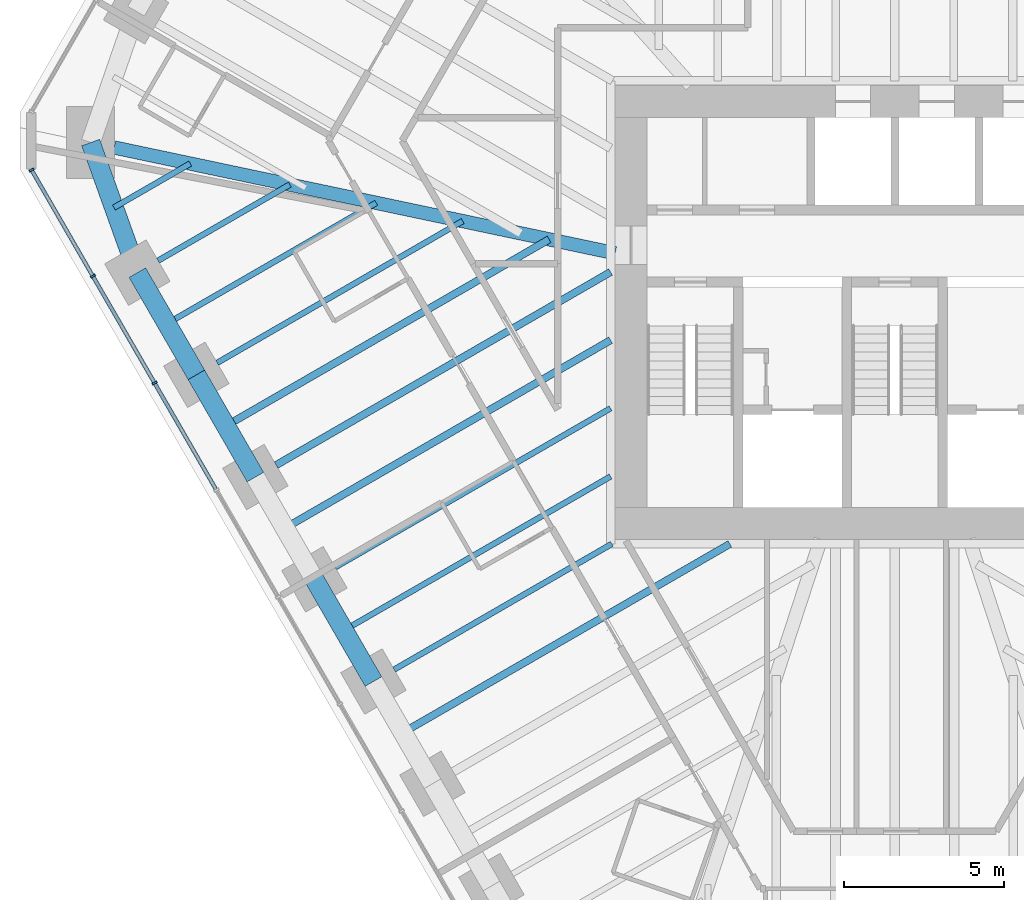
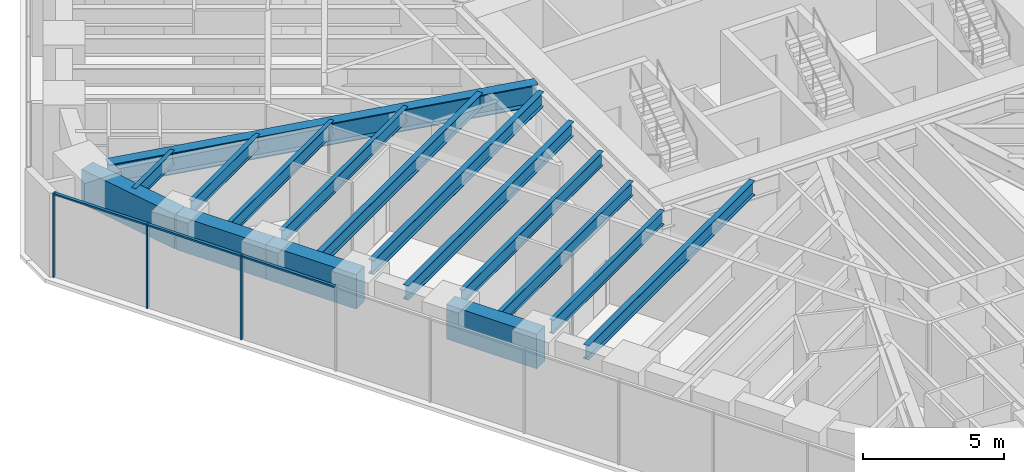
# One storey, part 3 of 16: 16 beams, 6 members, 1 element without a shape of its own.
"""IFC4 building model written with IfcOpenShell, lengths in metres."""

import ifcopenshell
import ifcopenshell.guid

model = None  # the IFC model being written
_history = None  # IfcOwnerHistory: only IFC2X3 demands one
_inside = {}  # id of a spatial element -> (the spatial element, [elements in it])
_under = {}  # id of a project, library or spatial element -> (it, [spatial elements below it])
_declared = {}  # id of a project -> (the project, [libraries it declares])
_typed = {}  # id of a type object -> (the type object, [elements of that type])
_made_of = {}  # id of a material, layer set ... -> (it, [elements and type objects made of it])


def new_model(schema):
    """Start an empty IFC model of exactly this schema.

    Asked for "IFC4X3", IfcOpenShell would pick the latest addendum, in which some entities
    have other attributes; the version numbers below select the first issue.
    IFC2X3 requires an IfcOwnerHistory on every rooted entity: one is made here for all.
    """
    global model, _history
    if schema == "IFC4X3":
        model = ifcopenshell.file(schema_version=(4, 3, 0, 0))
    else:
        model = ifcopenshell.file(schema=schema)
    _inside.clear()
    _under.clear()
    _declared.clear()
    _typed.clear()
    _made_of.clear()
    _history = None
    if model.schema == "IFC2X3":
        org = make("IfcOrganization", Name="unknown")
        user = make(
            "IfcPersonAndOrganization",
            ThePerson=make("IfcPerson", FamilyName="unknown"),
            TheOrganization=org,
        )
        app = make(
            "IfcApplication",
            ApplicationDeveloper=org,
            Version="unknown",
            ApplicationFullName="unknown",
            ApplicationIdentifier="unknown",
        )
        _history = make(
            "IfcOwnerHistory",
            OwningUser=user,
            OwningApplication=app,
            ChangeAction="ADDED",
            CreationDate=0,
        )
    return model


def make(cls, **values):
    """One entity of the class cls with the attributes given. An attribute that is None is left unset."""
    return model.create_entity(
        cls, **{name: value for name, value in values.items() if value is not None}
    )


def rooted(cls, **values):
    """An entity with a GlobalId (a new one), such as an element, a storey or a relation."""
    return make(cls, GlobalId=ifcopenshell.guid.new(), OwnerHistory=_history, **values)


def si_unit(unit_type, name, prefix=None):
    """IfcSIUnit, for example si_unit("LENGTHUNIT", "METRE", prefix="MILLI")."""
    return make("IfcSIUnit", UnitType=unit_type, Prefix=prefix, Name=name)


def assignment(units):
    """IfcUnitAssignment: the units of a project."""
    return None if units is None else make("IfcUnitAssignment", Units=units)


def point(xyz):
    """IfcCartesianPoint."""
    return None if xyz is None else make("IfcCartesianPoint", Coordinates=xyz)


def direction(xyz):
    """IfcDirection."""
    return None if xyz is None else make("IfcDirection", DirectionRatios=xyz)


def frame(location, z_axis=None, x_axis=None):
    """IfcAxis2Placement3D, a coordinate frame: its origin and axes. An axis left out is left unset."""
    return make(
        "IfcAxis2Placement3D",
        Location=point(location),
        Axis=direction(z_axis),
        RefDirection=direction(x_axis),
    )


def frame_2d(location, x_axis=None):
    """IfcAxis2Placement2D, a coordinate frame in the plane: its origin and x axis."""
    return make(
        "IfcAxis2Placement2D", Location=point(location), RefDirection=direction(x_axis)
    )


def origin():
    """The frame at (0, 0, 0) with its axes left unset."""
    return frame((0.0, 0.0, 0.0))


def origin_2d():
    """The frame at (0, 0) in the plane with its x axis left unset."""
    return frame_2d((0.0, 0.0))


def place(relative_to, where):
    """IfcLocalPlacement: puts the frame where relative to a parent placement (None: the world)."""
    return make(
        "IfcLocalPlacement", PlacementRelTo=relative_to, RelativePlacement=where
    )


def context(
    kind, dimensions, precision=None, world=None, true_north=None, identifier=None
):
    """IfcGeometricRepresentationContext, for example the 3D "Model" context."""
    return make(
        "IfcGeometricRepresentationContext",
        ContextIdentifier=identifier,
        ContextType=kind,
        CoordinateSpaceDimension=dimensions,
        Precision=precision,
        WorldCoordinateSystem=world,
        TrueNorth=true_north,
    )


def subcontext(parent, identifier, kind, view, scale=None):
    """IfcGeometricRepresentationSubContext, for example "Body" below "Model"."""
    return make(
        "IfcGeometricRepresentationSubContext",
        ContextIdentifier=identifier,
        ContextType=kind,
        ParentContext=parent,
        TargetScale=scale,
        TargetView=view,
    )


def project(units=None, contexts=None):
    """IfcProject with its units and contexts."""
    return rooted(
        "IfcProject",
        Name="project",
        RepresentationContexts=contexts,
        UnitsInContext=assignment(units),
    )


def spatial(cls, under=None, at=None, **own):
    """A site, building, storey or space (cls), placed at a placement, below another one or the project."""
    s = rooted(cls, ObjectPlacement=at, **own)
    if under is not None:
        _under.setdefault(under.id(), (under, []))[1].append(s)
    return s


def profile(cls, at=None, kind="AREA", **sizes):
    """A parametric profile (cls). Its sizes go by their IFC names, for example OverallWidth=200.0."""
    return make(cls, ProfileType=kind, Position=at, **sizes)


def rectangle(**sizes):
    """IfcRectangleProfileDef."""
    return profile("IfcRectangleProfileDef", **sizes)


def i_section(**sizes):
    """IfcIShapeProfileDef."""
    return profile("IfcIShapeProfileDef", **sizes)


def extrude(swept, where, along, depth):
    """IfcExtrudedAreaSolid: the profile swept, set in the frame where, extruded along a direction by depth."""
    return make(
        "IfcExtrudedAreaSolid",
        SweptArea=swept,
        Position=where,
        ExtrudedDirection=direction(along),
        Depth=depth,
    )


def shape(context_of_items, identifier, shape_type, items):
    """IfcShapeRepresentation: the items that make up one representation, for example the "Body"."""
    return make(
        "IfcShapeRepresentation",
        ContextOfItems=context_of_items,
        RepresentationIdentifier=identifier,
        RepresentationType=shape_type,
        Items=items,
    )


def material(Name=None, Category=None):
    """IfcMaterial."""
    return make("IfcMaterial", Name=Name, Category=Category)


def material_profile(
    of_material, cross_section, Name=None, Category=None, Priority=None
):
    """IfcMaterialProfile: a cross section and its material."""
    return make(
        "IfcMaterialProfile",
        Name=Name,
        Material=of_material,
        Profile=cross_section,
        Priority=Priority,
        Category=Category,
    )


def profile_set(profiles, Name=None, composite=None):
    """IfcMaterialProfileSet."""
    return make(
        "IfcMaterialProfileSet",
        Name=Name,
        MaterialProfiles=profiles,
        CompositeProfile=composite,
    )


def made_of(thing, what):
    """Note that an element or type object is made of a material, layer set ...; save() writes the relation."""
    if what is not None:
        _made_of.setdefault(what.id(), (what, []))[1].append(thing)
    return thing


def type_object(cls, material=None, **own):
    """A type object (cls), such as IfcWallType, which elements share."""
    return made_of(rooted(cls, **own), material)


def element(
    cls,
    number,
    at=None,
    inside=None,
    cuts=None,
    type_object=None,
    material=None,
    context=None,
    identifier="Body",
    shape_type=None,
    held_by="IfcProductDefinitionShape",
    body=None,
    shapes=None,
    **own,
):
    """One element of the class cls, such as IfcWall. Its Tag is "e" and its number.

    at: its placement. inside: the storey or other place that contains it. cuts: it is an
    opening in that element (IfcRelVoidsElement). A single representation is given by context,
    identifier, shape_type and body (its items); several are given by shapes. held_by: the class
    of the entity that holds the representations. save() writes the other relations.
    """
    e = rooted(cls, Tag="e%d" % number, ObjectPlacement=at, **own)
    if body is not None:
        shapes = [shape(context, identifier, shape_type, body)]
    if shapes is not None:
        e.Representation = make(held_by, Representations=shapes)
    if inside is not None:
        _inside.setdefault(inside.id(), (inside, []))[1].append(e)
    if cuts is not None:
        rooted(
            "IfcRelVoidsElement", RelatingBuildingElement=cuts, RelatedOpeningElement=e
        )
    if type_object is not None:
        _typed.setdefault(type_object.id(), (type_object, []))[1].append(e)
    return made_of(e, material)


def aggregate(whole, parts):
    """IfcRelAggregates: a whole, such as a stair, and the parts it consists of."""
    return rooted("IfcRelAggregates", RelatingObject=whole, RelatedObjects=parts)


def save(model, path):
    """Write the relations noted so far, then the file.

    IfcRelAggregates (storeys below a building ...), IfcRelContainedInSpatialStructure (elements
    in a storey), IfcRelDefinesByType, IfcRelAssociatesMaterial and IfcRelDeclares: one each for
    every whole, place, type object, material and project.
    """
    for whole, parts in _under.values():
        aggregate(whole, parts)
    for where, things in _inside.values():
        rooted(
            "IfcRelContainedInSpatialStructure",
            RelatedElements=things,
            RelatingStructure=where,
        )
    for kind, things in _typed.values():
        rooted("IfcRelDefinesByType", RelatedObjects=things, RelatingType=kind)
    for what, things in _made_of.values():
        rooted("IfcRelAssociatesMaterial", RelatedObjects=things, RelatingMaterial=what)
    for by, libraries in _declared.values():
        rooted("IfcRelDeclares", RelatingContext=by, RelatedDefinitions=libraries)
    model.write(path)


model = new_model("IFC4")

# Units and contexts
model_context = context("Model", 3, precision=1e-05, world=origin(), true_north=direction((0.0, 1.0)))
body_context = subcontext(model_context, "Body", "Model", "MODEL_VIEW")
ifc_project = project(units=[si_unit("LENGTHUNIT", "METRE"), si_unit("AREAUNIT", "SQUARE_METRE"), si_unit("VOLUMEUNIT", "CUBIC_METRE"), si_unit("PLANEANGLEUNIT", "RADIAN"), si_unit("MASSUNIT", "GRAM", prefix="KILO")], contexts=[model_context])

# Site, building, storey
site_placement = place(None, origin())
site = spatial("IfcSite", under=ifc_project, at=site_placement, CompositionType="ELEMENT")
building_placement = place(site_placement, origin())
building = spatial("IfcBuilding", under=site, at=building_placement, Name="Sandreach Pilgrim Tower", CompositionType="ELEMENT")
storey_placement = place(building_placement, frame((0.0, 0.0, 202.199951171875)))
storey = spatial("IfcBuildingStorey", under=building, at=storey_placement, Name="L50", CompositionType="ELEMENT", Elevation=202.199951171875)

# Curtain wall, members
ifc_material_1 = material(Name="Aluminium framed curtain wall", Category="aluminium")
curtain_wall_type = type_object("IfcCurtainWallType", Name="Upper hotel tower curtain wall", PredefinedType="NOTDEFINED", material=ifc_material_1)
curtain_wall_placement = place(storey_placement, origin())
curtain_wall = element("IfcCurtainWall", 1, at=curtain_wall_placement, inside=storey, type_object=curtain_wall_type, Name="CW-3 L50 SW", PredefinedType="NOTDEFINED")
ifc_material_2 = material(Name="Aluminium extrusion", Category="aluminium")
ifc_material_profile_1 = material_profile(ifc_material_2, rectangle(XDim=0.06494140625, YDim=0.159912109375, at=origin_2d()), Name="CW-3M 65X160")
ifc_profile_set_1 = profile_set([ifc_material_profile_1], Name="Aluminium extrusion")
member_type_1 = type_object("IfcMemberType", Name="CW-3 mullion", PredefinedType="MULLION", material=ifc_profile_set_1)
member_1_placement = place(storey_placement, frame((-23.15576171875, -2.21337890625, 0.0), z_axis=(0.0, 0.0, 1.0), x_axis=(-0.5, 0.866025403784, 0.0)))
member_1 = element("IfcMember", 2, at=member_1_placement, type_object=member_type_1, Name="CW-3 mullion 8", PredefinedType="MULLION", context=body_context, shape_type="SweptSolid", body=[
    extrude(rectangle(XDim=0.06494140625, YDim=0.159912109375, at=origin_2d()), origin(), (0.0, 0.0, 1.0), 3.64013671875),
])
member_2_placement = place(storey_placement, frame((-25.087890625, 1.13330078125, 0.0), z_axis=(0.0, 0.0, 1.0), x_axis=(-0.5, 0.866025403784, 0.0)))
member_2 = element("IfcMember", 3, at=member_2_placement, type_object=member_type_1, Name="CW-3 mullion 9", PredefinedType="MULLION", context=body_context, shape_type="SweptSolid", body=[
    extrude(rectangle(XDim=0.06494140625, YDim=0.159912109375, at=origin_2d()), origin(), (0.0, 0.0, 1.0), 3.64013671875),
])
member_3_placement = place(storey_placement, frame((-27.00390625, 4.451904296875, 0.0), z_axis=(0.0, 0.0, 1.0), x_axis=(-0.5, 0.866025403784, 0.0)))
member_3 = element("IfcMember", 4, at=member_3_placement, type_object=member_type_1, Name="CW-3 mullion 10", PredefinedType="MULLION", context=body_context, shape_type="SweptSolid", body=[
    extrude(rectangle(XDim=0.06494140625, YDim=0.159912109375, at=origin_2d()), origin(), (0.0, 0.0, 1.0), 3.64013671875),
])
ifc_material_3 = material(Name="Aluminium extrusion", Category="aluminium")
ifc_material_profile_2 = material_profile(ifc_material_3, rectangle(XDim=0.1201171875, YDim=0.070068359375, at=origin_2d()), Name="CW-3T 120X70")
ifc_profile_set_2 = profile_set([ifc_material_profile_2], Name="Aluminium extrusion")
member_type_2 = type_object("IfcMemberType", Name="CW-3 transom", PredefinedType="USERDEFINED", material=ifc_profile_set_2)
member_4_placement = place(storey_placement, frame((-21.23974609375, -5.531982421875, 3.60498046875), z_axis=(-0.499974606132, 0.866040064445, 0.0), x_axis=(-0.866040064445, -0.499974606132, 0.0)))
member_4 = element("IfcMember", 5, at=member_4_placement, type_object=member_type_2, Name="CW-3 head transom 7", ObjectType="TRANSOM", PredefinedType="USERDEFINED", context=body_context, shape_type="SweptSolid", body=[
    extrude(rectangle(XDim=0.1201171875, YDim=0.070068359375, at=origin_2d()), origin(), (0.0, 0.0, 1.0), 3.799560546875),
])
member_5_placement = place(storey_placement, frame((-23.171875, -2.185302734375, 3.60498046875), z_axis=(-0.500022797313, 0.86601224135, 0.0), x_axis=(-0.86601224135, -0.500022797313, 0.0)))
member_5 = element("IfcMember", 6, at=member_5_placement, type_object=member_type_2, Name="CW-3 head transom 8", ObjectType="TRANSOM", PredefinedType="USERDEFINED", context=body_context, shape_type="SweptSolid", body=[
    extrude(rectangle(XDim=0.1201171875, YDim=0.070068359375, at=origin_2d()), origin(), (0.0, 0.0, 1.0), 3.799560546875),
])
member_6_placement = place(storey_placement, frame((-25.104248046875, 1.161376953125, 3.60498046875), z_axis=(-0.499944992379, 0.86605716012, 0.0), x_axis=(-0.86605716012, -0.499944992379, 0.0)))
member_6 = element("IfcMember", 7, at=member_6_placement, type_object=member_type_2, Name="CW-3 head transom 9", ObjectType="TRANSOM", PredefinedType="USERDEFINED", context=body_context, shape_type="SweptSolid", body=[
    extrude(rectangle(XDim=0.1201171875, YDim=0.070068359375, at=origin_2d()), origin(), (0.0, 0.0, 1.0), 3.76708984375),
])
aggregate(curtain_wall, [member_1, member_2, member_3, member_4, member_5, member_6])

# Beams
ifc_material_4 = material(Name="Steel ASTM A992 Grade 50", Category="steel")
ifc_material_profile_3 = material_profile(ifc_material_4, i_section(OverallWidth=0.421630859375, OverallDepth=0.937255859375, WebThickness=0.0224609375, FlangeThickness=0.039794921875, at=origin_2d()), Name="W36X282")
ifc_profile_set_3 = profile_set([ifc_material_profile_3], Name="Steel ASTM A992 Grade 50")
beam_type_1 = type_object("IfcBeamType", Name="Corner girder W36X282", PredefinedType="BEAM", material=ifc_profile_set_3)
beam_1_placement = place(storey_placement, frame((-24.422607421875, 5.156494140625, 3.17138671875), z_axis=(0.978428978804, -0.206583478132, 0.0), x_axis=(0.206583478132, 0.978428978804, 0.0)))
element("IfcBeam", 8, at=beam_1_placement, inside=storey, type_object=beam_type_1, Name="BM L50 CG35", PredefinedType="BEAM", context=body_context, shape_type="SweptSolid", body=[
    extrude(i_section(OverallWidth=0.421630859375, OverallDepth=0.937255859375, WebThickness=0.0224609375, FlangeThickness=0.039794921875, at=origin_2d()), origin(), (0.0, 0.0, 1.0), 16.01806640625),
])
ifc_material_5 = material(Name="Steel ASTM A992 Grade 50", Category="steel")
ifc_material_profile_4 = material_profile(ifc_material_5, i_section(OverallWidth=0.1787109375, OverallDepth=0.60205078125, WebThickness=0.010986328125, FlangeThickness=0.014892578125, at=origin_2d()), Name="W24X62")
ifc_profile_set_4 = profile_set([ifc_material_profile_4], Name="Steel ASTM A992 Grade 50")
beam_type_2 = type_object("IfcBeamType", Name="Floor beam W24X62", PredefinedType="BEAM", material=ifc_profile_set_4)
beam_2_placement = place(storey_placement, frame((-15.661376953125, -11.173828125, 3.339111328125), z_axis=(0.866038711524, 0.49997694961, 0.0), x_axis=(-0.49997694961, 0.866038711524, 0.0)))
element("IfcBeam", 9, at=beam_2_placement, inside=storey, type_object=beam_type_2, Name="BM L50 F30", PredefinedType="BEAM", context=body_context, shape_type="SweptSolid", body=[
    extrude(i_section(OverallWidth=0.1787109375, OverallDepth=0.60205078125, WebThickness=0.010986328125, FlangeThickness=0.014892578125, at=origin_2d()), origin(), (0.0, 0.0, 1.0), 7.861083984375),
])
beam_3_placement = place(storey_placement, frame((-17.507568359375, -7.97607421875, 3.339111328125), z_axis=(0.866027815265, 0.499995823171, 0.0), x_axis=(-0.499995823171, 0.866027815265, 0.0)))
element("IfcBeam", 10, at=beam_3_placement, inside=storey, type_object=beam_type_2, Name="BM L50 F31", PredefinedType="BEAM", context=body_context, shape_type="SweptSolid", body=[
    extrude(i_section(OverallWidth=0.1787109375, OverallDepth=0.60205078125, WebThickness=0.010986328125, FlangeThickness=0.014892578125, at=origin_2d()), origin(), (0.0, 0.0, 1.0), 9.94677734375),
])
beam_4_placement = place(storey_placement, frame((-21.2001953125, -1.58056640625, 3.339111328125), z_axis=(0.866027448082, 0.499996459156, 0.0), x_axis=(-0.499996459156, 0.866027448082, 0.0)))
element("IfcBeam", 11, at=beam_4_placement, inside=storey, type_object=beam_type_2, Name="BM L50 F33", PredefinedType="BEAM", context=body_context, shape_type="SweptSolid", body=[
    extrude(i_section(OverallWidth=0.1787109375, OverallDepth=0.60205078125, WebThickness=0.010986328125, FlangeThickness=0.014892578125, at=origin_2d()), origin(), (0.0, 0.0, 1.0), 8.86962890625),
])
beam_5_placement = place(storey_placement, frame((-23.04638671875, 1.6171875, 3.339111328125), z_axis=(0.86603347311, 0.499986023258, 0.0), x_axis=(-0.499986023258, 0.86603347311, 0.0)))
element("IfcBeam", 12, at=beam_5_placement, inside=storey, type_object=beam_type_2, Name="BM L50 F34", PredefinedType="BEAM", context=body_context, shape_type="SweptSolid", body=[
    extrude(i_section(OverallWidth=0.1787109375, OverallDepth=0.60205078125, WebThickness=0.010986328125, FlangeThickness=0.014892578125, at=origin_2d()), origin(), (0.0, 0.0, 1.0), 4.757568359375),
])
beam_6_placement = place(storey_placement, frame((-17.23388671875, -9.949951171875, 3.339111328125), z_axis=(0.866025593094, 0.499999672107, 0.0), x_axis=(-0.499999672107, 0.866025593094, 0.0)))
element("IfcBeam", 13, at=beam_6_placement, inside=storey, type_object=beam_type_2, Name="BM L50 FM30", PredefinedType="BEAM", context=body_context, shape_type="SweptSolid", body=[
    extrude(i_section(OverallWidth=0.1787109375, OverallDepth=0.60205078125, WebThickness=0.010986328125, FlangeThickness=0.014892578125, at=origin_2d()), origin(), (0.0, 0.0, 1.0), 9.630859375),
])
beam_7_placement = place(storey_placement, frame((-22.772705078125, -0.356689453125, 3.339111328125), z_axis=(0.866029704776, 0.49999255039, 0.0), x_axis=(-0.49999255039, 0.866029704776, 0.0)))
element("IfcBeam", 14, at=beam_7_placement, inside=storey, type_object=beam_type_2, Name="BM L50 FM33", PredefinedType="BEAM", context=body_context, shape_type="SweptSolid", body=[
    extrude(i_section(OverallWidth=0.1787109375, OverallDepth=0.60205078125, WebThickness=0.010986328125, FlangeThickness=0.014892578125, at=origin_2d()), origin(), (0.0, 0.0, 1.0), 7.5634765625),
])
beam_8_placement = place(storey_placement, frame((-24.42626953125, 3.27685546875, 3.339111328125), z_axis=(0.866046803606, 0.49996293259, 0.0), x_axis=(-0.49996293259, 0.866046803606, 0.0)))
element("IfcBeam", 15, at=beam_8_placement, inside=storey, type_object=beam_type_2, Name="BM L50 FM34", PredefinedType="BEAM", context=body_context, shape_type="SweptSolid", body=[
    extrude(i_section(OverallWidth=0.1787109375, OverallDepth=0.60205078125, WebThickness=0.010986328125, FlangeThickness=0.014892578125, at=origin_2d()), origin(), (0.0, 0.0, 1.0), 2.753662109375),
])
ifc_material_6 = material(Name="Steel ASTM A992 Grade 50", Category="steel")
ifc_material_profile_5 = material_profile(ifc_material_6, i_section(OverallWidth=0.23046875, OverallDepth=0.6171875, WebThickness=0.01318359375, FlangeThickness=0.022216796875, at=origin_2d()), Name="W24X94")
ifc_profile_set_5 = profile_set([ifc_material_profile_5], Name="Steel ASTM A992 Grade 50")
beam_type_3 = type_object("IfcBeamType", Name="Floor beam W24X94", PredefinedType="BEAM", material=ifc_profile_set_5)
beam_9_placement = place(storey_placement, frame((-19.353759765625, -4.7783203125, 3.33154296875), z_axis=(0.866026713419, 0.49999773164, 0.0), x_axis=(-0.49999773164, 0.866026713419, 0.0)))
element("IfcBeam", 16, at=beam_9_placement, inside=storey, type_object=beam_type_3, Name="BM L50 F32", PredefinedType="BEAM", context=body_context, shape_type="SweptSolid", body=[
    extrude(i_section(OverallWidth=0.23046875, OverallDepth=0.6171875, WebThickness=0.01318359375, FlangeThickness=0.022216796875, at=origin_2d()), origin(), (0.0, 0.0, 1.0), 12.07861328125),
])
beam_10_placement = place(storey_placement, frame((-15.3876953125, -13.14794921875, 3.33154296875), z_axis=(0.866022050506, 0.500005808004, 0.0), x_axis=(-0.500005808004, 0.866022050506, 0.0)))
element("IfcBeam", 17, at=beam_10_placement, inside=storey, type_object=beam_type_3, Name="BM L50 FM29", PredefinedType="BEAM", context=body_context, shape_type="SweptSolid", body=[
    extrude(i_section(OverallWidth=0.23046875, OverallDepth=0.6171875, WebThickness=0.01318359375, FlangeThickness=0.022216796875, at=origin_2d()), origin(), (0.0, 0.0, 1.0), 11.808837890625),
])
beam_11_placement = place(storey_placement, frame((-19.080322265625, -6.752197265625, 3.33154296875), z_axis=(0.866030053141, 0.499991946992, 0.0), x_axis=(-0.499991946992, 0.866030053141, 0.0)))
element("IfcBeam", 18, at=beam_11_placement, inside=storey, type_object=beam_type_3, Name="BM L50 FM31", PredefinedType="BEAM", context=body_context, shape_type="SweptSolid", body=[
    extrude(i_section(OverallWidth=0.23046875, OverallDepth=0.6171875, WebThickness=0.01318359375, FlangeThickness=0.022216796875, at=origin_2d()), origin(), (0.0, 0.0, 1.0), 11.762939453125),
])
beam_12_placement = place(storey_placement, frame((-20.926513671875, -3.554443359375, 3.33154296875), z_axis=(0.866026454974, 0.499998179282, 0.0), x_axis=(-0.499998179282, 0.866026454974, 0.0)))
element("IfcBeam", 19, at=beam_12_placement, inside=storey, type_object=beam_type_3, Name="BM L50 FM32", PredefinedType="BEAM", context=body_context, shape_type="SweptSolid", body=[
    extrude(i_section(OverallWidth=0.23046875, OverallDepth=0.6171875, WebThickness=0.01318359375, FlangeThickness=0.022216796875, at=origin_2d()), origin(), (0.0, 0.0, 1.0), 11.67578125),
])
ifc_material_7 = material(Name="Concrete 10000 psi", Category="concrete")
ifc_material_profile_6 = material_profile(ifc_material_7, rectangle(XDim=0.60009765625, YDim=1.5, at=origin_2d()), Name="RC600X1500")
ifc_profile_set_6 = profile_set([ifc_material_profile_6], Name="Concrete 10000 psi")
beam_type_4 = type_object("IfcBeamType", Name="Spandrel beam RC600X1500", PredefinedType="SPANDREL", material=ifc_profile_set_6)
beam_13_placement = place(storey_placement, frame((-16.310791015625, -11.548828125, 2.89013671875), z_axis=(-0.500042951019, 0.866000604582, 0.0), x_axis=(-0.866000604582, -0.500042951019, 0.0)))
element("IfcBeam", 20, at=beam_13_placement, inside=storey, type_object=beam_type_4, Name="BM L50 SP30", PredefinedType="SPANDREL", context=body_context, shape_type="SweptSolid", body=[
    extrude(rectangle(XDim=0.60009765625, YDim=1.5, at=origin_2d()), origin(), (0.0, 0.0, 1.0), 3.692626953125),
])
for number, where, z_axis, x_axis, name in (
    (21, (-20.00341796875, -5.1533203125, 2.89013671875), (-0.499993363642, 0.866029235253, 0.0), (-0.866029235253, -0.499993363642, 0.0), "BM L50 SP32"),
    (22, (-21.849609375, -1.95556640625, 2.89013671875), (-0.499993363642, 0.866029235253, 0.0), (-0.866029235253, -0.499993363642, 0.0), "BM L50 SP33"),
):
    element("IfcBeam", number, at=place(storey_placement, frame(where, z_axis=z_axis, x_axis=x_axis)), inside=storey, type_object=beam_type_4, Name=name, PredefinedType="SPANDREL", context=body_context, shape_type="SweptSolid", body=[
        extrude(rectangle(XDim=0.60009765625, YDim=1.5, at=origin_2d()), origin(), (0.0, 0.0, 1.0), 3.6923828125),
    ])
beam_14_placement = place(storey_placement, frame((-23.69580078125, 1.2421875, 2.89013671875), z_axis=(-0.337863470932, 0.941195131208, 0.0), x_axis=(-0.941195131208, -0.337863470932, 0.0)))
element("IfcBeam", 23, at=beam_14_placement, inside=storey, type_object=beam_type_4, Name="BM L50 SP34", PredefinedType="SPANDREL", context=body_context, shape_type="SweptSolid", body=[
    extrude(rectangle(XDim=0.60009765625, YDim=1.5, at=origin_2d()), origin(), (0.0, 0.0, 1.0), 4.3232421875),
])

save(model, "model.ifc")
